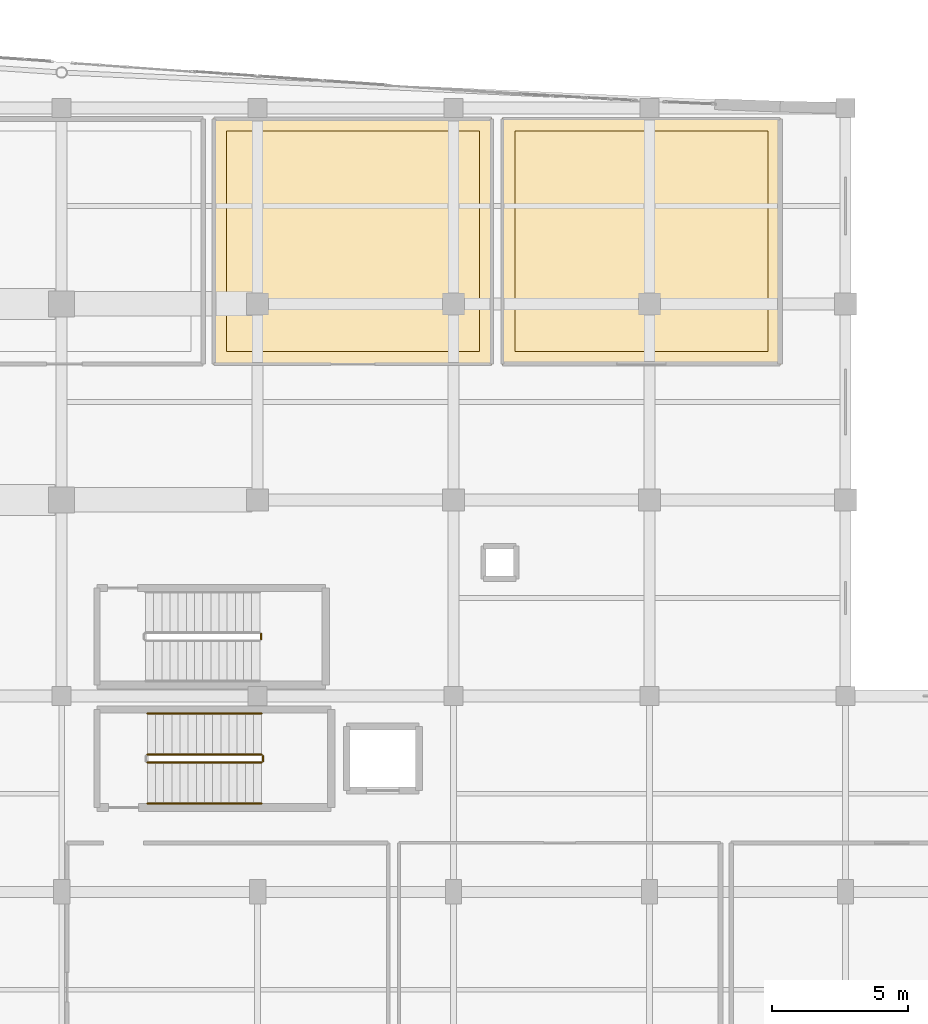
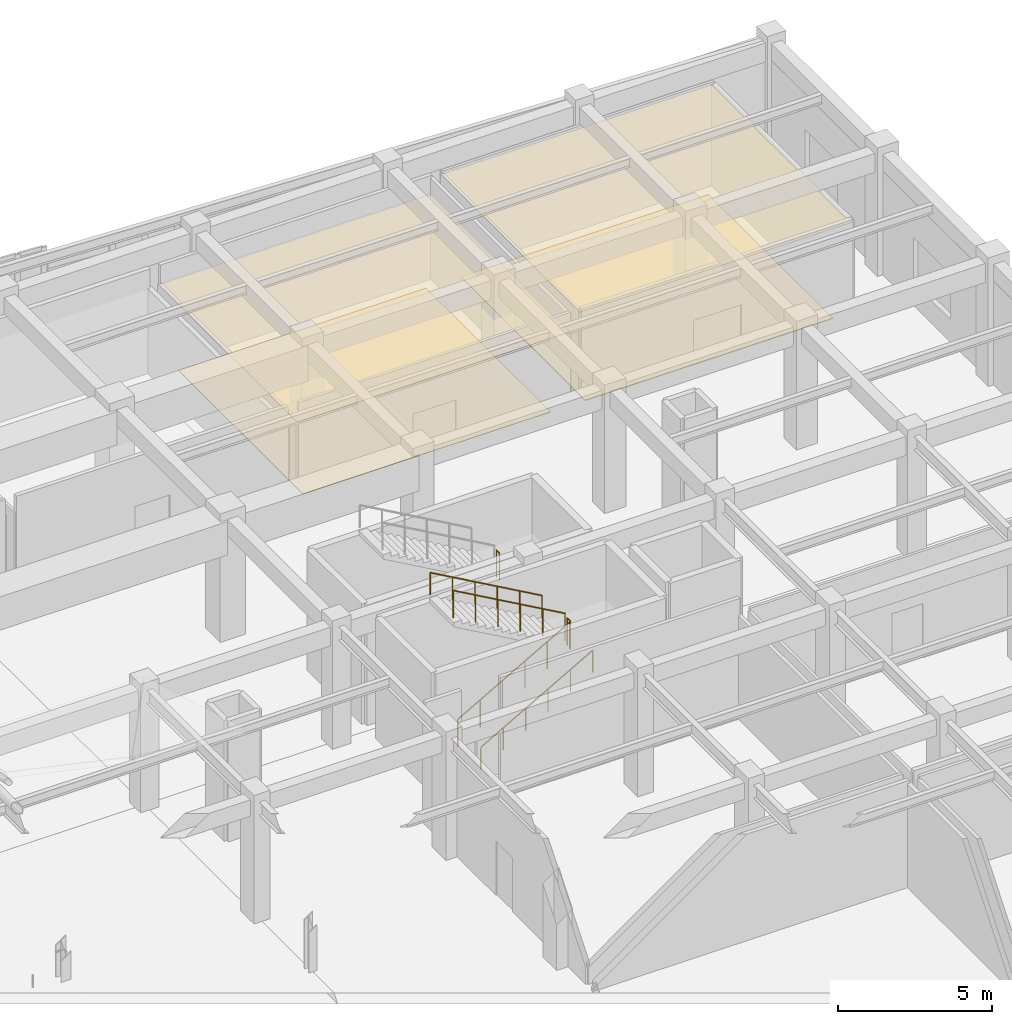
# One storey, part 117 of 117: 6 railings, 4 coverings.
"""IFC4 building model written with IfcOpenShell, lengths in metres."""

from ifc_helpers import new_model, si_unit, direction, frame, origin, origin_2d, place, context, subcontext, project, spatial, polyline, circle, outline, extrude, material, layer, layer_set, type_object, element, save


model = new_model("IFC4")

# Units and contexts
model_context = context("Model", 3, precision=1e-05, world=origin(), true_north=direction((0.0, 1.0)))
body_context = subcontext(model_context, "Body", "Model", "MODEL_VIEW")
ifc_project = project(units=[si_unit("LENGTHUNIT", "METRE"), si_unit("AREAUNIT", "SQUARE_METRE"), si_unit("VOLUMEUNIT", "CUBIC_METRE"), si_unit("PLANEANGLEUNIT", "RADIAN"), si_unit("MASSUNIT", "GRAM", prefix="KILO")], contexts=[model_context])

# Site, building, storey
site_placement = place(None, origin())
site = spatial("IfcSite", under=ifc_project, at=site_placement, CompositionType="ELEMENT")
building_placement = place(site_placement, origin())
building = spatial("IfcBuilding", under=site, at=building_placement, Name="Carrowvane Square Congress Hotel", CompositionType="ELEMENT")
storey_placement = place(building_placement, frame((0.0, 0.0, 5.39990234375)))
storey = spatial("IfcBuildingStorey", under=building, at=storey_placement, Name="L01", CompositionType="ELEMENT", Elevation=5.39990234375)

# Coverings
ifc_material_1 = material(Name="Acoustic gypsum board", Category="gypsum")
ifc_layer_1 = layer(ifc_material_1, 0.014892578125)
ifc_layer_set_1 = layer_set([ifc_layer_1], Name="Acoustic gypsum board")
covering_type_1 = type_object("IfcCoveringType", Name="COV-CLG-AC15", PredefinedType="CEILING", material=ifc_layer_set_1)
covering_1_placement = place(storey_placement, frame((0.0, 0.0, 3.300048828125)))
element("IfcCovering", 1, at=covering_1_placement, inside=storey, type_object=covering_type_1, Name="L01 Private Dining Salon 3 acoustic ceiling", PredefinedType="CEILING", context=body_context, shape_type="SweptSolid", body=[
    extrude(outline(polyline([(139.60009765625, 103.97998046875), (139.597900390625, 103.97998046875), (139.59619140625, 103.98046875), (139.59423828125, 103.98095703125), (139.59228515625, 103.9814453125), (139.590576171875, 103.982421875), (139.5888671875, 103.9833984375), (139.58740234375, 103.984619140625), (139.5859375, 103.98583984375), (139.58447265625, 103.9873046875), (139.58349609375, 103.989013671875), (139.58251953125, 103.990478515625), (139.58154296875, 103.9921875), (139.580810546875, 103.994140625), (139.580322265625, 103.99609375), (139.580078125, 103.998046875), (139.580078125, 104.0), (139.580078125, 113.0), (139.580078125, 113.001953125), (139.580322265625, 113.00390625), (139.580810546875, 113.005859375), (139.58154296875, 113.0078125), (139.58251953125, 113.009521484375), (139.58349609375, 113.010986328125), (139.58447265625, 113.0126953125), (139.5859375, 113.01416015625), (139.58740234375, 113.015380859375), (139.5888671875, 113.0166015625), (139.590576171875, 113.017578125), (139.59228515625, 113.0185546875), (139.59423828125, 113.01904296875), (139.59619140625, 113.01953125), (139.597900390625, 113.02001953125), (139.60009765625, 113.02001953125), (141.076171875, 113.02001953125), (141.083984375, 113.01708984375), (141.1220703125, 113.0078125), (141.160888671875, 113.001953125), (141.199951171875, 113.0), (141.2392578125, 113.001953125), (141.278076171875, 113.0078125), (141.316162109375, 113.01708984375), (141.323974609375, 113.02001953125), (148.276123046875, 113.02001953125), (148.283935546875, 113.01708984375), (148.322021484375, 113.0078125), (148.36083984375, 113.001953125), (148.39990234375, 113.0), (148.439208984375, 113.001953125), (148.47802734375, 113.0078125), (148.51611328125, 113.01708984375), (148.52392578125, 113.02001953125), (149.800048828125, 113.02001953125), (149.802001953125, 113.02001953125), (149.803955078125, 113.01953125), (149.805908203125, 113.01904296875), (149.8076171875, 113.0185546875), (149.809326171875, 113.017578125), (149.81103515625, 113.0166015625), (149.812744140625, 113.015380859375), (149.814208984375, 113.01416015625), (149.8154296875, 113.0126953125), (149.816650390625, 113.010986328125), (149.817626953125, 113.009521484375), (149.818603515625, 113.0078125), (149.819091796875, 113.005859375), (149.819580078125, 113.00390625), (149.81982421875, 113.001953125), (149.820068359375, 113.0), (149.820068359375, 104.0), (149.81982421875, 103.998046875), (149.819580078125, 103.99609375), (149.819091796875, 103.994140625), (149.818603515625, 103.9921875), (149.817626953125, 103.990478515625), (149.816650390625, 103.989013671875), (149.8154296875, 103.9873046875), (149.814208984375, 103.98583984375), (149.812744140625, 103.984619140625), (149.81103515625, 103.9833984375), (149.809326171875, 103.982421875), (149.8076171875, 103.9814453125), (149.805908203125, 103.98095703125), (149.803955078125, 103.98046875), (149.802001953125, 103.97998046875), (149.800048828125, 103.97998046875), (139.60009765625, 103.97998046875)])), origin(), (0.0, 0.0, 1.0), 0.01513671875),
])
ifc_material_2 = material(Name="Acoustic gypsum board", Category="gypsum")
ifc_layer_2 = layer(ifc_material_2, 0.02001953125)
ifc_layer_set_2 = layer_set([ifc_layer_2], Name="Acoustic gypsum board")
covering_type_2 = type_object("IfcCoveringType", Name="COV-CLG-AC20", PredefinedType="CEILING", material=ifc_layer_set_2)
covering_2_placement = place(storey_placement, frame((0.0, 0.0, 3.945068359375)))
element("IfcCovering", 2, at=covering_2_placement, inside=storey, type_object=covering_type_2, Name="L01 Private Dining Salon 4 acoustic ceiling", PredefinedType="CEILING", context=body_context, shape_type="SweptSolid", body=[
    extrude(outline(polyline([(150.1845703125, 103.9873046875), (150.183349609375, 103.989013671875), (150.182373046875, 103.990478515625), (150.181396484375, 103.9921875), (150.180908203125, 103.994140625), (150.180419921875, 103.99609375), (150.18017578125, 103.998046875), (150.179931640625, 104.0), (150.179931640625, 113.0), (150.18017578125, 113.001953125), (150.180419921875, 113.00390625), (150.180908203125, 113.005859375), (150.181396484375, 113.0078125), (150.182373046875, 113.009521484375), (150.183349609375, 113.010986328125), (150.1845703125, 113.0126953125), (150.185791015625, 113.01416015625), (150.187255859375, 113.015380859375), (150.18896484375, 113.0166015625), (150.190673828125, 113.017578125), (150.1923828125, 113.0185546875), (150.194091796875, 113.01904296875), (150.196044921875, 113.01953125), (150.197998046875, 113.02001953125), (150.199951171875, 113.02001953125), (155.47607421875, 113.02001953125), (155.48388671875, 113.01708984375), (155.52197265625, 113.0078125), (155.560791015625, 113.001953125), (155.60009765625, 113.0), (155.63916015625, 113.001953125), (155.677978515625, 113.0078125), (155.716064453125, 113.01708984375), (155.723876953125, 113.02001953125), (160.39990234375, 113.02001953125), (160.402099609375, 113.02001953125), (160.40380859375, 113.01953125), (160.40576171875, 113.01904296875), (160.40771484375, 113.0185546875), (160.409423828125, 113.017578125), (160.4111328125, 113.0166015625), (160.41259765625, 113.015380859375), (160.4140625, 113.01416015625), (160.41552734375, 113.0126953125), (160.41650390625, 113.010986328125), (160.41748046875, 113.009521484375), (160.41845703125, 113.0078125), (160.419189453125, 113.005859375), (160.419677734375, 113.00390625), (160.419921875, 113.001953125), (160.419921875, 113.0), (160.419921875, 104.0), (160.419921875, 103.998046875), (160.419677734375, 103.99609375), (160.419189453125, 103.994140625), (160.41845703125, 103.9921875), (160.41748046875, 103.990478515625), (160.41650390625, 103.989013671875), (160.41552734375, 103.9873046875), (160.4140625, 103.98583984375), (160.41259765625, 103.984619140625), (160.4111328125, 103.9833984375), (160.409423828125, 103.982421875), (160.40771484375, 103.9814453125), (160.40576171875, 103.98095703125), (160.40380859375, 103.98046875), (160.402099609375, 103.97998046875), (160.39990234375, 103.97998046875), (150.199951171875, 103.97998046875), (150.197998046875, 103.97998046875), (150.196044921875, 103.98046875), (150.194091796875, 103.98095703125), (150.1923828125, 103.9814453125), (150.190673828125, 103.982421875), (150.18896484375, 103.9833984375), (150.187255859375, 103.984619140625), (150.185791015625, 103.98583984375), (150.1845703125, 103.9873046875)])), origin(), (0.0, 0.0, 1.0), 0.02001953125),
])
ifc_material_3 = material(Name="European oak timber", Category="wood")
ifc_layer_3 = layer(ifc_material_3, 0.01806640625)
ifc_layer_set_3 = layer_set([ifc_layer_3], Name="European oak timber")
covering_type_3 = type_object("IfcCoveringType", Name="COV-FLR-OAK18", PredefinedType="FLOORING", material=ifc_layer_set_3)
covering_3_placement = place(storey_placement, origin())
element("IfcCovering", 3, at=covering_3_placement, inside=storey, type_object=covering_type_3, Name="L01 Private Dining Salon 3 floor finish", PredefinedType="FLOORING", context=body_context, shape_type="SweptSolid", body=[
    extrude(outline(polyline([(149.35009765625, 112.550048828125), (149.35009765625, 104.449951171875), (140.050048828125, 104.449951171875), (140.050048828125, 112.550048828125), (149.35009765625, 112.550048828125)])), origin(), (0.0, 0.0, 1.0), 0.01806640625),
])
ifc_material_4 = material(Name="Ceramic porcelain tile", Category="stone")
ifc_layer_4 = layer(ifc_material_4, 0.02197265625)
ifc_layer_set_4 = layer_set([ifc_layer_4], Name="Ceramic porcelain tile")
covering_type_4 = type_object("IfcCoveringType", Name="COV-FLR-TRZ22", PredefinedType="FLOORING", material=ifc_layer_set_4)
covering_4_placement = place(storey_placement, origin())
element("IfcCovering", 4, at=covering_4_placement, inside=storey, type_object=covering_type_4, Name="L01 Private Dining Salon 4 floor finish", PredefinedType="FLOORING", context=body_context, shape_type="SweptSolid", body=[
    extrude(outline(polyline([(159.949951171875, 112.550048828125), (159.949951171875, 104.449951171875), (150.64990234375, 104.449951171875), (150.64990234375, 112.550048828125), (159.949951171875, 112.550048828125)])), origin(), (0.0, 0.0, 1.0), 0.022216796875),
])

# Railings
ifc_material_5 = material(Name="Stainless steel 316", Category="steel")
ifc_layer_5 = layer(ifc_material_5, 0.048095703125)
ifc_layer_set_5 = layer_set([ifc_layer_5], Name="Stainless steel 316")
railing_type_1 = type_object("IfcRailingType", Name="RLG-HR-900", PredefinedType="HANDRAIL", material=ifc_layer_set_5)
railing_1_placement = place(storey_placement, frame((137.14990234375, 87.85009765625, 0.170166015625)))
element("IfcRailing", 5, at=railing_1_placement, inside=storey, type_object=railing_type_1, Name="L01 ST8 stair handrail 1", PredefinedType="HANDRAIL", context=body_context, shape_type="SweptSolid", body=[
    extrude(circle(Radius=0.02392578125, at=origin_2d()), frame((0.0, 0.0, 0.8759765625), z_axis=(0.870042430969, 0.0, 0.492976843588), x_axis=(0.0, 1.0, 0.0)), (0.0, 0.0, 1.0), 4.82763671875),
    extrude(circle(Radius=0.02099609375, at=origin_2d()), origin(), (0.0, 0.0, 1.0), 0.851806640625),
    extrude(circle(Radius=0.02099609375, at=origin_2d()), frame((0.840087890625, 0.0, 0.47607421875)), (0.0, 0.0, 1.0), 0.851806640625),
    extrude(circle(Radius=0.02099609375, at=origin_2d()), frame((1.68017578125, 0.0, 0.951904296875)), (0.0, 0.0, 1.0), 0.851806640625),
    extrude(circle(Radius=0.02099609375, at=origin_2d()), frame((2.52001953125, 0.0, 1.427978515625)), (0.0, 0.0, 1.0), 0.851806640625),
    extrude(circle(Radius=0.02099609375, at=origin_2d()), frame((3.360107421875, 0.0, 1.90380859375)), (0.0, 0.0, 1.0), 0.851806640625),
    extrude(circle(Radius=0.02099609375, at=origin_2d()), frame((4.2001953125, 0.0, 2.3798828125)), (0.0, 0.0, 1.0), 0.851806640625),
])
railing_2_placement = place(storey_placement, frame((141.35009765625, 91.14990234375, 2.72021484375)))
element("IfcRailing", 6, at=railing_2_placement, inside=storey, type_object=railing_type_1, Name="L01 ST8 stair handrail 2", PredefinedType="HANDRAIL", context=body_context, shape_type="SweptSolid", body=[
    extrude(circle(Radius=0.02392578125, at=origin_2d()), frame((0.0, 0.0, 0.8759765625), z_axis=(-0.870042430969, 0.0, 0.492976843588), x_axis=(0.0, -1.0, 0.0)), (0.0, 0.0, 1.0), 4.82763671875),
    extrude(circle(Radius=0.02099609375, at=origin_2d()), origin(), (0.0, 0.0, 1.0), 0.851806640625),
    extrude(circle(Radius=0.02099609375, at=origin_2d()), frame((-0.840087890625, 0.0, 0.47607421875)), (0.0, 0.0, 1.0), 0.851806640625),
    extrude(circle(Radius=0.02099609375, at=origin_2d()), frame((-1.68017578125, 0.0, 0.951904296875)), (0.0, 0.0, 1.0), 0.851806640625),
    extrude(circle(Radius=0.02099609375, at=origin_2d()), frame((-2.52001953125, 0.0, 1.427978515625)), (0.0, 0.0, 1.0), 0.851806640625),
    extrude(circle(Radius=0.02099609375, at=origin_2d()), frame((-3.360107421875, 0.0, 1.90380859375)), (0.0, 0.0, 1.0), 0.851806640625),
    extrude(circle(Radius=0.02099609375, at=origin_2d()), frame((-4.2001953125, 0.0, 2.3798828125)), (0.0, 0.0, 1.0), 0.851806640625),
])
ifc_material_6 = material(Name="Galvanised steel", Category="steel")
ifc_layer_6 = layer(ifc_material_6, 0.048095703125)
ifc_layer_set_6 = layer_set([ifc_layer_6], Name="Galvanised steel")
railing_type_2 = type_object("IfcRailingType", Name="RLG-STG-1100", PredefinedType="GUARDRAIL", material=ifc_layer_set_6)
railing_3_placement = place(storey_placement, frame((137.14990234375, 89.35009765625, 0.170166015625)))
element("IfcRailing", 7, at=railing_3_placement, inside=storey, type_object=railing_type_2, Name="L01 ST8 stair guard 1", PredefinedType="GUARDRAIL", context=body_context, shape_type="SweptSolid", body=[
    extrude(circle(Radius=0.02392578125, at=origin_2d()), frame((0.0, 0.0, 1.076171875), z_axis=(0.870042430969, 0.0, 0.492976843588), x_axis=(0.0, 1.0, 0.0)), (0.0, 0.0, 1.0), 4.82763671875),
    extrude(circle(Radius=0.02099609375, at=origin_2d()), origin(), (0.0, 0.0, 1.0), 1.052001953125),
    extrude(circle(Radius=0.02099609375, at=origin_2d()), frame((0.840087890625, 0.0, 0.47607421875)), (0.0, 0.0, 1.0), 1.052001953125),
    extrude(circle(Radius=0.02099609375, at=origin_2d()), frame((1.68017578125, 0.0, 0.951904296875)), (0.0, 0.0, 1.0), 1.052001953125),
    extrude(circle(Radius=0.02099609375, at=origin_2d()), frame((2.52001953125, 0.0, 1.427978515625)), (0.0, 0.0, 1.0), 1.052001953125),
    extrude(circle(Radius=0.02099609375, at=origin_2d()), frame((3.360107421875, 0.0, 1.90380859375)), (0.0, 0.0, 1.0), 1.052001953125),
    extrude(circle(Radius=0.02099609375, at=origin_2d()), frame((4.2001953125, 0.0, 2.3798828125)), (0.0, 0.0, 1.0), 1.052001953125),
])
railing_4_placement = place(storey_placement, frame((141.39990234375, 89.39990234375, 2.550048828125)))
element("IfcRailing", 8, at=railing_4_placement, inside=storey, type_object=railing_type_2, Name="L01 ST8 stair guard 2", PredefinedType="GUARDRAIL", context=body_context, shape_type="SweptSolid", body=[
    extrude(circle(Radius=0.02392578125, at=origin_2d()), frame((0.0, 0.0, 1.076171875), z_axis=(0.0, 1.0, 0.0), x_axis=(-1.0, 0.0, 0.0)), (0.0, 0.0, 1.0), 0.2001953125),
    extrude(circle(Radius=0.02099609375, at=origin_2d()), origin(), (0.0, 0.0, 1.0), 1.052001953125),
    extrude(circle(Radius=0.02099609375, at=origin_2d()), frame((0.0, 0.2001953125, 0.0)), (0.0, 0.0, 1.0), 1.052001953125),
])
railing_5_placement = place(storey_placement, frame((141.35009765625, 89.64990234375, 2.72021484375)))
element("IfcRailing", 9, at=railing_5_placement, inside=storey, type_object=railing_type_2, Name="L01 ST8 stair guard 3", PredefinedType="GUARDRAIL", context=body_context, shape_type="SweptSolid", body=[
    extrude(circle(Radius=0.02392578125, at=origin_2d()), frame((0.0, 0.0, 1.076171875), z_axis=(-0.870042430969, 0.0, 0.492976843588), x_axis=(0.0, -1.0, 0.0)), (0.0, 0.0, 1.0), 4.82763671875),
    extrude(circle(Radius=0.02099609375, at=origin_2d()), origin(), (0.0, 0.0, 1.0), 1.052001953125),
    extrude(circle(Radius=0.02099609375, at=origin_2d()), frame((-0.840087890625, 0.0, 0.47607421875)), (0.0, 0.0, 1.0), 1.052001953125),
    extrude(circle(Radius=0.02099609375, at=origin_2d()), frame((-1.68017578125, 0.0, 0.951904296875)), (0.0, 0.0, 1.0), 1.052001953125),
    extrude(circle(Radius=0.02099609375, at=origin_2d()), frame((-2.52001953125, 0.0, 1.427978515625)), (0.0, 0.0, 1.0), 1.052001953125),
    extrude(circle(Radius=0.02099609375, at=origin_2d()), frame((-3.360107421875, 0.0, 1.90380859375)), (0.0, 0.0, 1.0), 1.052001953125),
    extrude(circle(Radius=0.02099609375, at=origin_2d()), frame((-4.2001953125, 0.0, 2.3798828125)), (0.0, 0.0, 1.0), 1.052001953125),
])
railing_6_placement = place(storey_placement, frame((141.330078125, 93.8798828125, 2.550048828125)))
element("IfcRailing", 10, at=railing_6_placement, inside=storey, type_object=railing_type_2, Name="L01 ST12 stair guard 2", PredefinedType="GUARDRAIL", context=body_context, shape_type="SweptSolid", body=[
    extrude(circle(Radius=0.02392578125, at=origin_2d()), frame((0.0, 0.0, 1.076171875), z_axis=(0.0, 1.0, 0.0), x_axis=(-1.0, 0.0, 0.0)), (0.0, 0.0, 1.0), 0.2001953125),
    extrude(circle(Radius=0.02099609375, at=origin_2d()), origin(), (0.0, 0.0, 1.0), 1.052001953125),
    extrude(circle(Radius=0.02099609375, at=origin_2d()), frame((0.0, 0.2001953125, 0.0)), (0.0, 0.0, 1.0), 1.052001953125),
])

save(model, "model.ifc")
